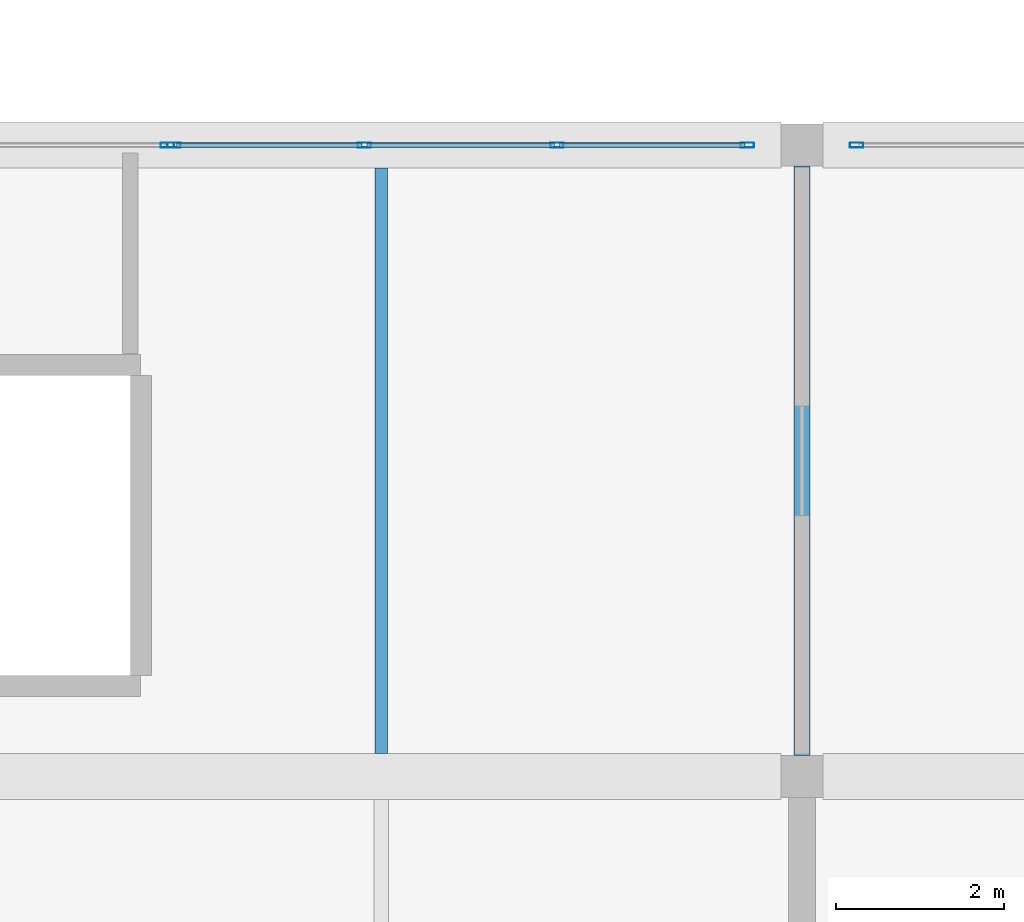
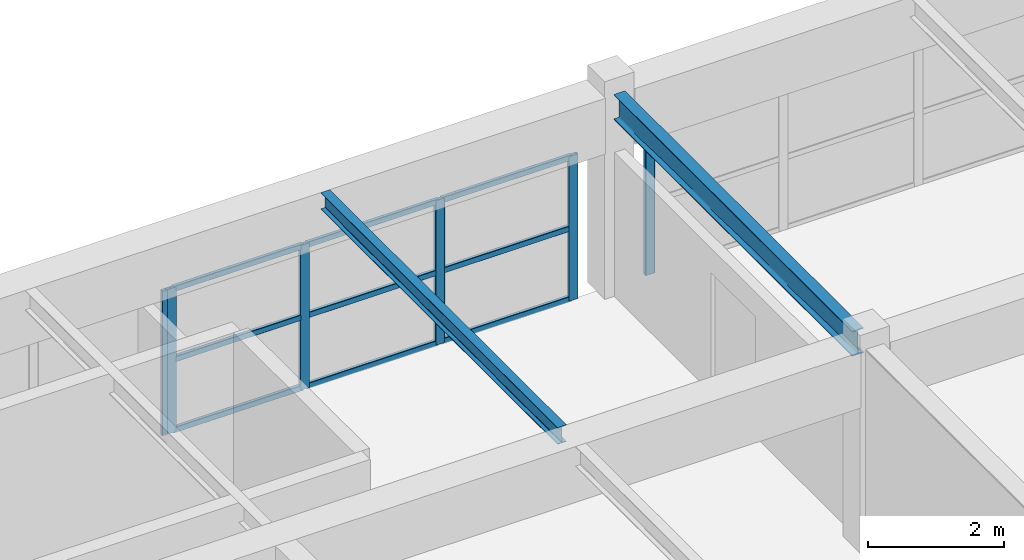
# One storey, part 18 of 82: 15 members, 2 beams, 3 elements without a shape of their own.
"""IFC4 building model written with IfcOpenShell, lengths in metres."""

from ifc_helpers import new_model, si_unit, direction, frame, origin, origin_2d, place, context, subcontext, project, spatial, hollow_rectangle, i_section, extrude, material, material_profile, profile_set, type_object, element, aggregate, save


model = new_model("IFC4")

# Units and contexts
model_context = context("Model", 3, precision=1e-05, world=origin(), true_north=direction((0.0, 1.0)))
body_context = subcontext(model_context, "Body", "Model", "MODEL_VIEW")
ifc_project = project(units=[si_unit("LENGTHUNIT", "METRE"), si_unit("AREAUNIT", "SQUARE_METRE"), si_unit("VOLUMEUNIT", "CUBIC_METRE"), si_unit("PLANEANGLEUNIT", "RADIAN"), si_unit("MASSUNIT", "GRAM", prefix="KILO")], contexts=[model_context])

# Site, building, storey
site_placement = place(None, origin())
site = spatial("IfcSite", under=ifc_project, at=site_placement, CompositionType="ELEMENT")
building_placement = place(site_placement, origin())
building = spatial("IfcBuilding", under=site, at=building_placement, Name="Qasida Concert Hall", CompositionType="ELEMENT")
storey_placement = place(building_placement, frame((0.0, 0.0, 17.10009765625)))
storey = spatial("IfcBuildingStorey", under=building, at=storey_placement, Name="L04", CompositionType="ELEMENT", Elevation=17.10009765625)

# Beams
ifc_material_1 = material(Name="Steel S355J2", Category="steel")
ifc_material_profile_1 = material_profile(ifc_material_1, i_section(OverallWidth=0.18994140625, OverallDepth=0.449951171875, WebThickness=0.009521484375, FlangeThickness=0.0146484375, FilletRadius=0.02099609375, at=origin_2d()), Name="IPE 450")
ifc_profile_set_1 = profile_set([ifc_material_profile_1], Name="Steel S355J2")
beam_type_1 = type_object("IfcBeamType", Name="BM-B5", PredefinedType="BEAM", material=ifc_profile_set_1)
beam_1_placement = place(storey_placement, frame((15.0, 45.25, 3.39501953125), z_axis=(0.0, 1.0, 0.0), x_axis=(-1.0, 0.0, 0.0)))
element("IfcBeam", 1, at=beam_1_placement, inside=storey, type_object=beam_type_1, Name="L04 girder 1910", PredefinedType="BEAM", context=body_context, shape_type="SweptSolid", body=[
    extrude(i_section(OverallWidth=0.18994140625, OverallDepth=0.449951171875, WebThickness=0.009521484375, FlangeThickness=0.0146484375, FilletRadius=0.02099609375, at=origin_2d()), origin(), (0.0, 0.0, 1.0), 7.0),
])
ifc_material_profile_2 = material_profile(ifc_material_1, i_section(OverallWidth=0.14990234375, OverallDepth=0.300048828125, WebThickness=0.007080078125, FlangeThickness=0.0107421875, FilletRadius=0.014892578125, at=origin_2d()), Name="IPE 300")
ifc_profile_set_2 = profile_set([ifc_material_profile_2], Name="Steel S355J2")
beam_type_2 = type_object("IfcBeamType", Name="BM-J4", PredefinedType="JOIST", material=ifc_profile_set_2)
beam_2_placement = place(storey_placement, frame((10.0, 45.27490234375, 3.469970703125), z_axis=(0.0, 1.0, 0.0), x_axis=(-1.0, 0.0, 0.0)))
element("IfcBeam", 2, at=beam_2_placement, inside=storey, type_object=beam_type_2, Name="L04 secondary joist 1922", PredefinedType="JOIST", context=body_context, shape_type="SweptSolid", body=[
    extrude(i_section(OverallWidth=0.14990234375, OverallDepth=0.300048828125, WebThickness=0.007080078125, FlangeThickness=0.0107421875, FilletRadius=0.014892578125, at=origin_2d()), origin(), (0.0, 0.0, 1.0), 6.9501953125),
])

# Curtain wall, member
ifc_material_2 = material(Name="Architectural bronze-anodized aluminium and low-E glass", Category="aluminium")
curtain_wall_type = type_object("IfcCurtainWallType", Name="CW-12", PredefinedType="NOTDEFINED", material=ifc_material_2)
curtain_wall_1_placement = place(storey_placement, origin())
curtain_wall_1 = element("IfcCurtainWall", 3, at=curtain_wall_1_placement, inside=storey, type_object=curtain_wall_type, Name="L04 curtain wall CW-12 0131", PredefinedType="NOTDEFINED")
ifc_material_3 = material(Name="Architectural bronze-anodized aluminium EN AW-6063", Category="aluminium")
ifc_material_profile_3 = material_profile(ifc_material_3, hollow_rectangle(XDim=0.06005859375, YDim=0.159912109375, WallThickness=0.00390625, InnerFilletRadius=0.00390625, OuterFilletRadius=0.008056640625, at=origin_2d()), Name="CWM 160x60x4")
ifc_profile_set_3 = profile_set([ifc_material_profile_3], Name="Architectural bronze-anodized aluminium EN AW-6063")
member_type_1 = type_object("IfcMemberType", Name="MB-CWM-3", PredefinedType="MULLION", material=ifc_profile_set_3)
member_1_placement = place(storey_placement, frame((7.4599609375, 52.5, 0.0), z_axis=(0.0, 0.0, 1.0), x_axis=(0.0, 1.0, 0.0)))
member_1 = element("IfcMember", 4, at=member_1_placement, type_object=member_type_1, Name="CW-12 mullion 4", PredefinedType="MULLION", context=body_context, shape_type="SweptSolid", body=[
    extrude(hollow_rectangle(XDim=0.06005859375, YDim=0.159912109375, WallThickness=0.00390625, InnerFilletRadius=0.00390625, OuterFilletRadius=0.008056640625, at=origin_2d()), origin(), (0.0, 0.0, 1.0), 2.58984375),
])
aggregate(curtain_wall_1, [member_1])

# Curtain wall, members
curtain_wall_2_placement = place(storey_placement, origin())
curtain_wall_2 = element("IfcCurtainWall", 5, at=curtain_wall_2_placement, inside=storey, type_object=curtain_wall_type, Name="L04 curtain wall CW-12 0133", PredefinedType="NOTDEFINED")
member_2_placement = place(storey_placement, frame((7.5400390625, 52.5, 0.0), z_axis=(0.0, 0.0, 1.0), x_axis=(0.0, 1.0, 0.0)))
member_2 = element("IfcMember", 6, at=member_2_placement, type_object=member_type_1, Name="CW-12 mullion 1", PredefinedType="MULLION", context=body_context, shape_type="SweptSolid", body=[
    extrude(hollow_rectangle(XDim=0.06005859375, YDim=0.159912109375, WallThickness=0.00390625, InnerFilletRadius=0.00390625, OuterFilletRadius=0.008056640625, at=origin_2d()), origin(), (0.0, 0.0, 1.0), 2.58984375),
])
member_3_placement = place(storey_placement, frame((9.800048828125, 52.5, 0.0), z_axis=(0.0, 0.0, 1.0), x_axis=(0.0, 1.0, 0.0)))
member_3 = element("IfcMember", 7, at=member_3_placement, type_object=member_type_1, Name="CW-12 mullion 2", PredefinedType="MULLION", context=body_context, shape_type="SweptSolid", body=[
    extrude(hollow_rectangle(XDim=0.06005859375, YDim=0.159912109375, WallThickness=0.00390625, InnerFilletRadius=0.00390625, OuterFilletRadius=0.008056640625, at=origin_2d()), origin(), (0.0, 0.0, 1.0), 2.58984375),
])
member_4_placement = place(storey_placement, frame((12.090087890625, 52.5, 0.0), z_axis=(0.0, 0.0, 1.0), x_axis=(0.0, 1.0, 0.0)))
member_4 = element("IfcMember", 8, at=member_4_placement, type_object=member_type_1, Name="CW-12 mullion 3", PredefinedType="MULLION", context=body_context, shape_type="SweptSolid", body=[
    extrude(hollow_rectangle(XDim=0.06005859375, YDim=0.159912109375, WallThickness=0.00390625, InnerFilletRadius=0.00390625, OuterFilletRadius=0.008056640625, at=origin_2d()), origin(), (0.0, 0.0, 1.0), 2.58984375),
])
member_5_placement = place(storey_placement, frame((14.35009765625, 52.5, 0.0), z_axis=(0.0, 0.0, 1.0), x_axis=(0.0, 1.0, 0.0)))
member_5 = element("IfcMember", 9, at=member_5_placement, type_object=member_type_1, Name="CW-12 mullion 4", PredefinedType="MULLION", context=body_context, shape_type="SweptSolid", body=[
    extrude(hollow_rectangle(XDim=0.06005859375, YDim=0.159912109375, WallThickness=0.00390625, InnerFilletRadius=0.00390625, OuterFilletRadius=0.008056640625, at=origin_2d()), origin(), (0.0, 0.0, 1.0), 2.58984375),
])

# Curtain wall, member
curtain_wall_3_placement = place(storey_placement, origin())
curtain_wall_3 = element("IfcCurtainWall", 10, at=curtain_wall_3_placement, inside=storey, type_object=curtain_wall_type, Name="L04 curtain wall CW-12 0134", PredefinedType="NOTDEFINED")
member_6_placement = place(storey_placement, frame((15.64990234375, 52.5, 0.0), z_axis=(0.0, 0.0, 1.0), x_axis=(0.0, 1.0, 0.0)))
member_6 = element("IfcMember", 11, at=member_6_placement, type_object=member_type_1, Name="CW-12 mullion 1", PredefinedType="MULLION", context=body_context, shape_type="SweptSolid", body=[
    extrude(hollow_rectangle(XDim=0.06005859375, YDim=0.159912109375, WallThickness=0.00390625, InnerFilletRadius=0.00390625, OuterFilletRadius=0.008056640625, at=origin_2d()), origin(), (0.0, 0.0, 1.0), 2.58984375),
])
aggregate(curtain_wall_3, [member_6])

# Member
ifc_material_profile_4 = material_profile(ifc_material_3, hollow_rectangle(XDim=0.06005859375, YDim=0.10009765625, WallThickness=0.00341796875, InnerFilletRadius=0.00341796875, OuterFilletRadius=0.007080078125, at=origin_2d()), Name="CWT 100x60x3.5")
ifc_profile_set_4 = profile_set([ifc_material_profile_4], Name="Architectural bronze-anodized aluminium EN AW-6063")
member_type_2 = type_object("IfcMemberType", Name="MB-CWT-3", PredefinedType="USERDEFINED", material=ifc_profile_set_4)
member_7_placement = place(storey_placement, frame((7.570068359375, 52.5, 0.02978515625), z_axis=(1.0, 0.0, 0.0), x_axis=(0.0, 1.0, 0.0)))
member_7 = element("IfcMember", 12, at=member_7_placement, type_object=member_type_2, Name="CW-12 transom 1.1", ObjectType="TRANSOM", PredefinedType="USERDEFINED", context=body_context, shape_type="SweptSolid", body=[
    extrude(hollow_rectangle(XDim=0.06005859375, YDim=0.10009765625, WallThickness=0.00341796875, InnerFilletRadius=0.00341796875, OuterFilletRadius=0.007080078125, at=origin_2d()), origin(), (0.0, 0.0, 1.0), 2.199951171875),
])

member_8_placement = place(storey_placement, frame((7.570068359375, 52.5, 1.294921875), z_axis=(1.0, 0.0, 0.0), x_axis=(0.0, 1.0, 0.0)))
member_8 = element("IfcMember", 13, at=member_8_placement, type_object=member_type_2, Name="CW-12 transom 1.2", ObjectType="TRANSOM", PredefinedType="USERDEFINED", context=body_context, shape_type="SweptSolid", body=[
    extrude(hollow_rectangle(XDim=0.06005859375, YDim=0.10009765625, WallThickness=0.00341796875, InnerFilletRadius=0.00341796875, OuterFilletRadius=0.007080078125, at=origin_2d()), origin(), (0.0, 0.0, 1.0), 2.199951171875),
])

member_9_placement = place(storey_placement, frame((7.570068359375, 52.5, 2.559814453125), z_axis=(1.0, 0.0, 0.0), x_axis=(0.0, 1.0, 0.0)))
member_9 = element("IfcMember", 14, at=member_9_placement, type_object=member_type_2, Name="CW-12 transom 1.3", ObjectType="TRANSOM", PredefinedType="USERDEFINED", context=body_context, shape_type="SweptSolid", body=[
    extrude(hollow_rectangle(XDim=0.06005859375, YDim=0.10009765625, WallThickness=0.00341796875, InnerFilletRadius=0.00341796875, OuterFilletRadius=0.007080078125, at=origin_2d()), origin(), (0.0, 0.0, 1.0), 2.199951171875),
])

member_10_placement = place(storey_placement, frame((9.830078125, 52.5, 0.02978515625), z_axis=(1.0, 0.0, 0.0), x_axis=(0.0, 1.0, 0.0)))
member_10 = element("IfcMember", 15, at=member_10_placement, type_object=member_type_2, Name="CW-12 transom 2.1", ObjectType="TRANSOM", PredefinedType="USERDEFINED", context=body_context, shape_type="SweptSolid", body=[
    extrude(hollow_rectangle(XDim=0.06005859375, YDim=0.10009765625, WallThickness=0.00341796875, InnerFilletRadius=0.00341796875, OuterFilletRadius=0.007080078125, at=origin_2d()), origin(), (0.0, 0.0, 1.0), 2.22998046875),
])

member_11_placement = place(storey_placement, frame((9.830078125, 52.5, 1.294921875), z_axis=(1.0, 0.0, 0.0), x_axis=(0.0, 1.0, 0.0)))
member_11 = element("IfcMember", 16, at=member_11_placement, type_object=member_type_2, Name="CW-12 transom 2.2", ObjectType="TRANSOM", PredefinedType="USERDEFINED", context=body_context, shape_type="SweptSolid", body=[
    extrude(hollow_rectangle(XDim=0.06005859375, YDim=0.10009765625, WallThickness=0.00341796875, InnerFilletRadius=0.00341796875, OuterFilletRadius=0.007080078125, at=origin_2d()), origin(), (0.0, 0.0, 1.0), 2.22998046875),
])

member_12_placement = place(storey_placement, frame((9.830078125, 52.5, 2.559814453125), z_axis=(1.0, 0.0, 0.0), x_axis=(0.0, 1.0, 0.0)))
member_12 = element("IfcMember", 17, at=member_12_placement, type_object=member_type_2, Name="CW-12 transom 2.3", ObjectType="TRANSOM", PredefinedType="USERDEFINED", context=body_context, shape_type="SweptSolid", body=[
    extrude(hollow_rectangle(XDim=0.06005859375, YDim=0.10009765625, WallThickness=0.00341796875, InnerFilletRadius=0.00341796875, OuterFilletRadius=0.007080078125, at=origin_2d()), origin(), (0.0, 0.0, 1.0), 2.22998046875),
])

member_13_placement = place(storey_placement, frame((12.1201171875, 52.5, 0.02978515625), z_axis=(1.0, 0.0, 0.0), x_axis=(0.0, 1.0, 0.0)))
member_13 = element("IfcMember", 18, at=member_13_placement, type_object=member_type_2, Name="CW-12 transom 3.1", ObjectType="TRANSOM", PredefinedType="USERDEFINED", context=body_context, shape_type="SweptSolid", body=[
    extrude(hollow_rectangle(XDim=0.06005859375, YDim=0.10009765625, WallThickness=0.00341796875, InnerFilletRadius=0.00341796875, OuterFilletRadius=0.007080078125, at=origin_2d()), origin(), (0.0, 0.0, 1.0), 2.199951171875),
])

member_14_placement = place(storey_placement, frame((12.1201171875, 52.5, 1.294921875), z_axis=(1.0, 0.0, 0.0), x_axis=(0.0, 1.0, 0.0)))
member_14 = element("IfcMember", 19, at=member_14_placement, type_object=member_type_2, Name="CW-12 transom 3.2", ObjectType="TRANSOM", PredefinedType="USERDEFINED", context=body_context, shape_type="SweptSolid", body=[
    extrude(hollow_rectangle(XDim=0.06005859375, YDim=0.10009765625, WallThickness=0.00341796875, InnerFilletRadius=0.00341796875, OuterFilletRadius=0.007080078125, at=origin_2d()), origin(), (0.0, 0.0, 1.0), 2.199951171875),
])

member_15_placement = place(storey_placement, frame((12.1201171875, 52.5, 2.559814453125), z_axis=(1.0, 0.0, 0.0), x_axis=(0.0, 1.0, 0.0)))
member_15 = element("IfcMember", 20, at=member_15_placement, type_object=member_type_2, Name="CW-12 transom 3.3", ObjectType="TRANSOM", PredefinedType="USERDEFINED", context=body_context, shape_type="SweptSolid", body=[
    extrude(hollow_rectangle(XDim=0.06005859375, YDim=0.10009765625, WallThickness=0.00341796875, InnerFilletRadius=0.00341796875, OuterFilletRadius=0.007080078125, at=origin_2d()), origin(), (0.0, 0.0, 1.0), 2.199951171875),
])

aggregate(curtain_wall_2, [member_2, member_3, member_4, member_5, member_7, member_8, member_9, member_10, member_11, member_12, member_13, member_14, member_15])

save(model, "model.ifc")
